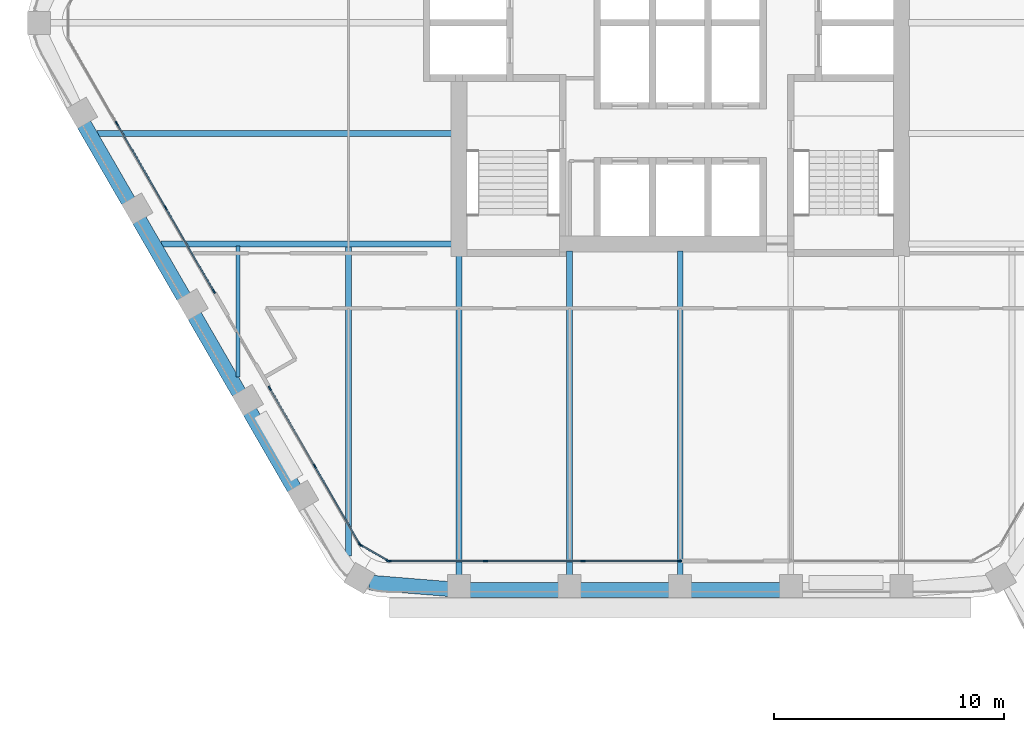
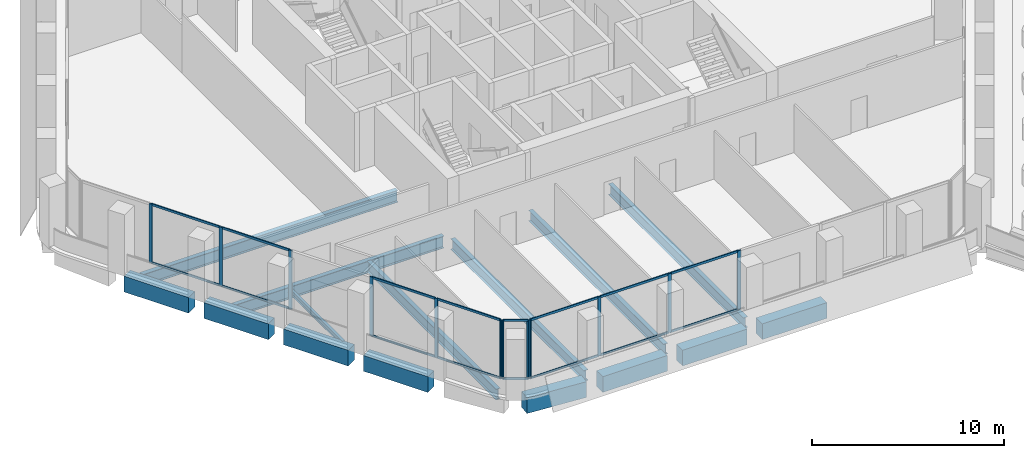
# One storey, part 2 of 17: 28 members, 15 beams, 4 elements without a shape of their own.
"""IFC4 building model written with IfcOpenShell, lengths in metres."""

from ifc_helpers import new_model, si_unit, direction, frame, origin, origin_2d, place, context, subcontext, project, spatial, rectangle, i_section, extrude, material, material_profile, profile_set, type_object, element, aggregate, save


model = new_model("IFC4")

# Units and contexts
model_context = context("Model", 3, precision=1e-05, world=origin(), true_north=direction((0.0, 1.0)))
body_context = subcontext(model_context, "Body", "Model", "MODEL_VIEW")
ifc_project = project(units=[si_unit("LENGTHUNIT", "METRE"), si_unit("AREAUNIT", "SQUARE_METRE"), si_unit("VOLUMEUNIT", "CUBIC_METRE"), si_unit("PLANEANGLEUNIT", "RADIAN"), si_unit("MASSUNIT", "GRAM", prefix="KILO")], contexts=[model_context])

# Site, building, storey
site_placement = place(None, origin())
site = spatial("IfcSite", under=ifc_project, at=site_placement, CompositionType="ELEMENT")
building_placement = place(site_placement, origin())
building = spatial("IfcBuilding", under=site, at=building_placement, Name="Kolab Exchange Tower", CompositionType="ELEMENT")
storey_placement = place(building_placement, frame((0.0, 0.0, 181.699951171875)))
storey = spatial("IfcBuildingStorey", under=building, at=storey_placement, Name="L38", CompositionType="ELEMENT", Elevation=181.699951171875)

# Beams
ifc_material_1 = material(Name="Steel S355", Category="steel")
ifc_material_profile_1 = material_profile(ifc_material_1, i_section(OverallWidth=0.1650390625, OverallDepth=0.31005859375, WebThickness=0.005859375, FlangeThickness=0.009765625, at=origin_2d()), Name="W310X39")
ifc_profile_set_1 = profile_set([ifc_material_profile_1], Name="Steel S355")
beam_type_1 = type_object("IfcBeamType", Name="FLOOR BEAM W310X39", PredefinedType="BEAM", material=ifc_profile_set_1)
beam_1_placement = place(storey_placement, frame((-19.199951171875, -15.36767578125, -0.304931640625), z_axis=(0.0, 1.0, 0.0), x_axis=(-1.0, 0.0, 0.0)))
element("IfcBeam", 1, at=beam_1_placement, inside=storey, type_object=beam_type_1, Name="beam/L38/fr/003", PredefinedType="BEAM", context=body_context, shape_type="SweptSolid", body=[
    extrude(i_section(OverallWidth=0.1650390625, OverallDepth=0.31005859375, WebThickness=0.005859375, FlangeThickness=0.009765625, at=origin_2d()), origin(), (0.0, 0.0, 1.0), 5.674072265625),
])
ifc_material_profile_2 = material_profile(ifc_material_1, i_section(OverallWidth=0.25390625, OverallDepth=0.68408203125, WebThickness=0.012451171875, FlangeThickness=0.018798828125, at=origin_2d()), Name="W690X140")
ifc_profile_set_2 = profile_set([ifc_material_profile_2], Name="Steel S355")
beam_type_2 = type_object("IfcBeamType", Name="FLOOR BEAM W690X140", PredefinedType="BEAM", material=ifc_profile_set_2)
beam_2_placement = place(storey_placement, frame((-14.39990234375, -23.15576171875, -0.491943359375), z_axis=(0.0, 1.0, 0.0), x_axis=(-1.0, 0.0, 0.0)))
element("IfcBeam", 2, at=beam_2_placement, inside=storey, type_object=beam_type_2, Name="beam/L38/fr/005", PredefinedType="BEAM", context=body_context, shape_type="SweptSolid", body=[
    extrude(i_section(OverallWidth=0.25390625, OverallDepth=0.68408203125, WebThickness=0.012451171875, FlangeThickness=0.018798828125, at=origin_2d()), origin(), (0.0, 0.0, 1.0), 13.462158203125),
])
beam_3_placement = place(storey_placement, frame((-9.60009765625, -23.9814453125, -0.491943359375), z_axis=(0.0, 1.0, 0.0), x_axis=(-1.0, 0.0, 0.0)))
element("IfcBeam", 3, at=beam_3_placement, inside=storey, type_object=beam_type_2, Name="beam/L38/fr/007", PredefinedType="BEAM", context=body_context, shape_type="SweptSolid", body=[
    extrude(i_section(OverallWidth=0.25390625, OverallDepth=0.68408203125, WebThickness=0.012451171875, FlangeThickness=0.018798828125, at=origin_2d()), origin(), (0.0, 0.0, 1.0), 13.871337890625),
])
for number, where, z_axis, x_axis, name in (
    (4, (-4.800048828125, -23.9814453125, -0.491943359375), (0.0, 1.0, 0.0), (-1.0, 0.0, 0.0), "beam/L38/fr/009"),
    (5, (0.0, -23.9814453125, -0.491943359375), (0.0, 1.0, 0.0), (-1.0, 0.0, 0.0), "beam/L38/fr/011"),
):
    element("IfcBeam", number, at=place(storey_placement, frame(where, z_axis=z_axis, x_axis=x_axis)), inside=storey, type_object=beam_type_2, Name=name, PredefinedType="BEAM", context=body_context, shape_type="SweptSolid", body=[
        extrude(i_section(OverallWidth=0.25390625, OverallDepth=0.68408203125, WebThickness=0.012451171875, FlangeThickness=0.018798828125, at=origin_2d()), origin(), (0.0, 0.0, 1.0), 14.071533203125),
    ])
ifc_material_profile_3 = material_profile(ifc_material_1, i_section(OverallWidth=0.26708984375, OverallDepth=0.761962890625, WebThickness=0.014404296875, FlangeThickness=0.021484375, at=origin_2d()), Name="W760X173")
ifc_profile_set_3 = profile_set([ifc_material_profile_3], Name="Steel S355")
beam_type_3 = type_object("IfcBeamType", Name="FLOOR BEAM W760X173", PredefinedType="BEAM", material=ifc_profile_set_3)
beam_4_placement = place(storey_placement, frame((-25.318115234375, -4.800048828125, -0.531005859375), z_axis=(1.0, 0.0, 0.0), x_axis=(0.0, 1.0, 0.0)))
element("IfcBeam", 6, at=beam_4_placement, inside=storey, type_object=beam_type_3, Name="beam/L38/fr/001", PredefinedType="BEAM", context=body_context, shape_type="SweptSolid", body=[
    extrude(i_section(OverallWidth=0.26708984375, OverallDepth=0.761962890625, WebThickness=0.014404296875, FlangeThickness=0.021484375, at=origin_2d()), origin(), (0.0, 0.0, 1.0), 15.408203125),
])
ifc_material_profile_4 = material_profile(ifc_material_1, i_section(OverallWidth=0.26708984375, OverallDepth=0.761962890625, WebThickness=0.014404296875, FlangeThickness=0.021484375, at=origin_2d()), Name="W760X173")
ifc_profile_set_4 = profile_set([ifc_material_profile_4], Name="Steel S355")
beam_type_4 = type_object("IfcBeamType", Name="FLOOR GIRDER W760X173", PredefinedType="BEAM", material=ifc_profile_set_4)
beam_5_placement = place(storey_placement, frame((-22.546875, -9.60009765625, -0.531005859375), z_axis=(1.0, 0.0, 0.0), x_axis=(0.0, 1.0, 0.0)))
element("IfcBeam", 7, at=beam_5_placement, inside=storey, type_object=beam_type_4, Name="beam/L38/gd/000", PredefinedType="BEAM", context=body_context, shape_type="SweptSolid", body=[
    extrude(i_section(OverallWidth=0.26708984375, OverallDepth=0.761962890625, WebThickness=0.014404296875, FlangeThickness=0.021484375, at=origin_2d()), origin(), (0.0, 0.0, 1.0), 12.636962890625),
])
ifc_material_2 = material(Name="Concrete C60/75", Category="concrete")
ifc_material_profile_5 = material_profile(ifc_material_2, rectangle(XDim=0.64990234375, YDim=1.0, at=origin_2d()), Name="RC650X1000")
ifc_profile_set_5 = profile_set([ifc_material_profile_5], Name="Concrete C60/75")
beam_type_5 = type_object("IfcBeamType", Name="SPANDREL BEAM 650X1000 C60/75", PredefinedType="BEAM", material=ifc_profile_set_5)
for number, where, z_axis, x_axis, name in (
    (8, (4.340087890625, -24.616455078125, -0.64990234375), (-1.0, 0.0, 0.0), (0.0, -1.0, 0.0), "beam/L38/sp/F4-03"),
    (9, (-0.4599609375, -24.616455078125, -0.64990234375), (-1.0, 0.0, 0.0), (0.0, -1.0, 0.0), "beam/L38/sp/F4-04"),
):
    element("IfcBeam", number, at=place(storey_placement, frame(where, z_axis=z_axis, x_axis=x_axis)), inside=storey, type_object=beam_type_5, Name=name, PredefinedType="BEAM", context=body_context, shape_type="SweptSolid", body=[
        extrude(rectangle(XDim=0.64990234375, YDim=1.0, at=origin_2d()), origin(), (0.0, 0.0, 1.0), 3.880126953125),
    ])
beam_6_placement = place(storey_placement, frame((-5.260009765625, -24.616455078125, -0.64990234375), z_axis=(-1.0, 0.0, 0.0), x_axis=(0.0, -1.0, 0.0)))
element("IfcBeam", 10, at=beam_6_placement, inside=storey, type_object=beam_type_5, Name="beam/L38/sp/F4-05", PredefinedType="BEAM", context=body_context, shape_type="SweptSolid", body=[
    extrude(rectangle(XDim=0.64990234375, YDim=1.0, at=origin_2d()), origin(), (0.0, 0.0, 1.0), 3.8798828125),
])
beam_7_placement = place(storey_placement, frame((-10.06005859375, -24.5791015625, -0.64990234375), z_axis=(-0.996708497182, 0.081068931445, 0.0), x_axis=(-0.081068931445, -0.996708497182, 0.0)))
element("IfcBeam", 11, at=beam_7_placement, inside=storey, type_object=beam_type_5, Name="beam/L38/sp/F4-06", PredefinedType="BEAM", context=body_context, shape_type="SweptSolid", body=[
    extrude(rectangle(XDim=0.64990234375, YDim=1.0, at=origin_2d()), origin(), (0.0, 0.0, 1.0), 3.445068359375),
])
beam_8_placement = place(storey_placement, frame((-16.74853515625, -20.2236328125, -0.64990234375), z_axis=(-0.499996613652, 0.866027358884, 0.0), x_axis=(-0.866027358884, -0.499996613652, 0.0)))
element("IfcBeam", 12, at=beam_8_placement, inside=storey, type_object=beam_type_5, Name="beam/L38/sp/F5-02", PredefinedType="BEAM", context=body_context, shape_type="SweptSolid", body=[
    extrude(rectangle(XDim=0.64990234375, YDim=1.0, at=origin_2d()), origin(), (0.0, 0.0, 1.0), 3.8798828125),
])
beam_9_placement = place(storey_placement, frame((-19.1484375, -16.06689453125, -0.64990234375), z_axis=(-0.50001655835, 0.866015843605, 0.0), x_axis=(-0.866015843605, -0.50001655835, 0.0)))
element("IfcBeam", 13, at=beam_9_placement, inside=storey, type_object=beam_type_5, Name="beam/L38/sp/F5-03", PredefinedType="BEAM", context=body_context, shape_type="SweptSolid", body=[
    extrude(rectangle(XDim=0.64990234375, YDim=1.0, at=origin_2d()), origin(), (0.0, 0.0, 1.0), 3.880126953125),
])
for number, where, z_axis, x_axis, name in (
    (14, (-21.548583984375, -11.909912109375, -0.64990234375), (-0.499996613652, 0.866027358884, 0.0), (-0.866027358884, -0.499996613652, 0.0), "beam/L38/sp/F5-04"),
    (15, (-23.948486328125, -7.7529296875, -0.64990234375), (-0.499996613652, 0.866027358884, 0.0), (-0.866027358884, -0.499996613652, 0.0), "beam/L38/sp/F5-05"),
):
    element("IfcBeam", number, at=place(storey_placement, frame(where, z_axis=z_axis, x_axis=x_axis)), inside=storey, type_object=beam_type_5, Name=name, PredefinedType="BEAM", context=body_context, shape_type="SweptSolid", body=[
        extrude(rectangle(XDim=0.64990234375, YDim=1.0, at=origin_2d()), origin(), (0.0, 0.0, 1.0), 3.8798828125),
    ])

# Curtain wall, members
ifc_material_3 = material(Name="Aluminium EN AW-6063 T6", Category="aluminium")
curtain_wall_type = type_object("IfcCurtainWallType", Name="UNITISED UPPER MID ZONE CURTAIN WALL", PredefinedType="NOTDEFINED", material=ifc_material_3)
curtain_wall_1_placement = place(storey_placement, origin())
curtain_wall_1 = element("IfcCurtainWall", 16, at=curtain_wall_1_placement, inside=storey, type_object=curtain_wall_type, Name="cw/L38/F4-2", PredefinedType="NOTDEFINED")
ifc_material_profile_6 = material_profile(ifc_material_3, rectangle(XDim=0.06005859375, YDim=0.199951171875, at=origin_2d()), Name="RECT 60X200")
ifc_profile_set_6 = profile_set([ifc_material_profile_6], Name="Aluminium EN AW-6063 T6")
member_type_1 = type_object("IfcMemberType", Name="UNITISED UPPER MID ZONE MULLION 60 X 200", PredefinedType="MULLION", material=ifc_profile_set_6)
member_1_placement = place(storey_placement, frame((-0.030029296875, -23.361572265625, 0.0), z_axis=(0.0, 0.0, 1.0), x_axis=(0.0, -1.0, 0.0)))
member_1 = element("IfcMember", 17, at=member_1_placement, type_object=member_type_1, Name="CW3 mullion 1", PredefinedType="MULLION", context=body_context, shape_type="SweptSolid", body=[
    extrude(rectangle(XDim=0.06005859375, YDim=0.199951171875, at=origin_2d()), origin(), (0.0, 0.0, 1.0), 3.75),
])
member_2_placement = place(storey_placement, frame((-4.22265625, -23.361572265625, 0.0), z_axis=(0.0, 0.0, 1.0), x_axis=(0.0, -1.0, 0.0)))
member_2 = element("IfcMember", 18, at=member_2_placement, type_object=member_type_1, Name="CW3 mullion 2", PredefinedType="MULLION", context=body_context, shape_type="SweptSolid", body=[
    extrude(rectangle(XDim=0.06005859375, YDim=0.199951171875, at=origin_2d()), origin(), (0.0, 0.0, 1.0), 3.75),
])
member_3_placement = place(storey_placement, frame((-8.4453125, -23.361572265625, 0.0), z_axis=(0.0, 0.0, 1.0), x_axis=(0.0, -1.0, 0.0)))
member_3 = element("IfcMember", 19, at=member_3_placement, type_object=member_type_1, Name="CW3 mullion 3", PredefinedType="MULLION", context=body_context, shape_type="SweptSolid", body=[
    extrude(rectangle(XDim=0.06005859375, YDim=0.199951171875, at=origin_2d()), origin(), (0.0, 0.0, 1.0), 3.75),
])
member_4_placement = place(storey_placement, frame((-12.637939453125, -23.361572265625, 0.0), z_axis=(0.0, 0.0, 1.0), x_axis=(0.0, -1.0, 0.0)))
member_4 = element("IfcMember", 20, at=member_4_placement, type_object=member_type_1, Name="CW3 mullion 4", PredefinedType="MULLION", context=body_context, shape_type="SweptSolid", body=[
    extrude(rectangle(XDim=0.06005859375, YDim=0.199951171875, at=origin_2d()), origin(), (0.0, 0.0, 1.0), 3.75),
])

curtain_wall_2_placement = place(storey_placement, origin())
curtain_wall_2 = element("IfcCurtainWall", 21, at=curtain_wall_2_placement, inside=storey, type_object=curtain_wall_type, Name="cw/L38/F5-1", PredefinedType="NOTDEFINED")
member_5_placement = place(storey_placement, frame((-13.91259765625, -22.62548828125, 0.0), z_axis=(0.0, 0.0, 1.0), x_axis=(-0.866025385493, -0.500000031681, 0.0)))
member_5 = element("IfcMember", 22, at=member_5_placement, type_object=member_type_1, Name="CW3 mullion 1", PredefinedType="MULLION", context=body_context, shape_type="SweptSolid", body=[
    extrude(rectangle(XDim=0.06005859375, YDim=0.199951171875, at=origin_2d()), origin(), (0.0, 0.0, 1.0), 3.75),
])
member_6_placement = place(storey_placement, frame((-15.86474609375, -19.24462890625, 0.0), z_axis=(0.0, 0.0, 1.0), x_axis=(-0.866025385493, -0.500000031681, 0.0)))
member_6 = element("IfcMember", 23, at=member_6_placement, type_object=member_type_1, Name="CW3 mullion 2", PredefinedType="MULLION", context=body_context, shape_type="SweptSolid", body=[
    extrude(rectangle(XDim=0.06005859375, YDim=0.199951171875, at=origin_2d()), origin(), (0.0, 0.0, 1.0), 3.75),
])
member_7_placement = place(storey_placement, frame((-17.816650390625, -15.86376953125, 0.0), z_axis=(0.0, 0.0, 1.0), x_axis=(-0.866025385493, -0.500000031681, 0.0)))
member_7 = element("IfcMember", 24, at=member_7_placement, type_object=member_type_1, Name="CW3 mullion 3", PredefinedType="MULLION", context=body_context, shape_type="SweptSolid", body=[
    extrude(rectangle(XDim=0.06005859375, YDim=0.199951171875, at=origin_2d()), origin(), (0.0, 0.0, 1.0), 3.75),
])

curtain_wall_3_placement = place(storey_placement, origin())
curtain_wall_3 = element("IfcCurtainWall", 25, at=curtain_wall_3_placement, inside=storey, type_object=curtain_wall_type, Name="cw/L38/F5-2", PredefinedType="NOTDEFINED")
member_8_placement = place(storey_placement, frame((-20.24658203125, -11.65478515625, 0.0), z_axis=(0.0, 0.0, 1.0), x_axis=(-0.866025427826, -0.499999958358, 0.0)))
member_8 = element("IfcMember", 26, at=member_8_placement, type_object=member_type_1, Name="CW3 mullion 1", PredefinedType="MULLION", context=body_context, shape_type="SweptSolid", body=[
    extrude(rectangle(XDim=0.06005859375, YDim=0.199951171875, at=origin_2d()), origin(), (0.0, 0.0, 1.0), 3.75),
])
member_9_placement = place(storey_placement, frame((-22.343017578125, -8.02392578125, 0.0), z_axis=(0.0, 0.0, 1.0), x_axis=(-0.866025427826, -0.499999958358, 0.0)))
member_9 = element("IfcMember", 27, at=member_9_placement, type_object=member_type_1, Name="CW3 mullion 2", PredefinedType="MULLION", context=body_context, shape_type="SweptSolid", body=[
    extrude(rectangle(XDim=0.06005859375, YDim=0.199951171875, at=origin_2d()), origin(), (0.0, 0.0, 1.0), 3.75),
])
member_10_placement = place(storey_placement, frame((-24.454345703125, -4.366943359375, 0.0), z_axis=(0.0, 0.0, 1.0), x_axis=(-0.866025427826, -0.499999958358, 0.0)))
member_10 = element("IfcMember", 28, at=member_10_placement, type_object=member_type_1, Name="CW3 mullion 3", PredefinedType="MULLION", context=body_context, shape_type="SweptSolid", body=[
    extrude(rectangle(XDim=0.06005859375, YDim=0.199951171875, at=origin_2d()), origin(), (0.0, 0.0, 1.0), 3.75),
])

curtain_wall_4_placement = place(storey_placement, origin())
curtain_wall_4 = element("IfcCurtainWall", 29, at=curtain_wall_4_placement, inside=storey, type_object=curtain_wall_type, Name="cw/L38/F4F5-corner", PredefinedType="NOTDEFINED")
member_11_placement = place(storey_placement, frame((-12.69384765625, -23.346435546875, 0.0), z_axis=(0.0, 0.0, 1.0), x_axis=(-0.50000002237, -0.866025390869, 0.0)))
member_11 = element("IfcMember", 30, at=member_11_placement, type_object=member_type_1, Name="CW3 mullion 1", PredefinedType="MULLION", context=body_context, shape_type="SweptSolid", body=[
    extrude(rectangle(XDim=0.06005859375, YDim=0.199951171875, at=origin_2d()), origin(), (0.0, 0.0, 1.0), 3.75),
])
member_12_placement = place(storey_placement, frame((-13.871826171875, -22.66650390625, 0.0), z_axis=(0.0, 0.0, 1.0), x_axis=(-0.50000002237, -0.866025390869, 0.0)))
member_12 = element("IfcMember", 31, at=member_12_placement, type_object=member_type_1, Name="CW3 mullion 2", PredefinedType="MULLION", context=body_context, shape_type="SweptSolid", body=[
    extrude(rectangle(XDim=0.06005859375, YDim=0.199951171875, at=origin_2d()), origin(), (0.0, 0.0, 1.0), 3.75),
])

# Member
ifc_material_profile_7 = material_profile(ifc_material_3, rectangle(XDim=0.06005859375, YDim=0.139892578125, at=origin_2d()), Name="RECT 60X140")
ifc_profile_set_7 = profile_set([ifc_material_profile_7], Name="Aluminium EN AW-6063 T6")
member_type_2 = type_object("IfcMemberType", Name="UNITISED UPPER MID ZONE TRANSOM 60 X 140", PredefinedType="USERDEFINED", material=ifc_profile_set_7)
member_13_placement = place(storey_placement, frame((-0.06005859375, -23.361572265625, 0.030029296875), z_axis=(-1.0, 0.0, 0.0), x_axis=(0.0, -1.0, 0.0)))
member_13 = element("IfcMember", 32, at=member_13_placement, type_object=member_type_2, Name="CW3 transom 1.1", ObjectType="TRANSOM", PredefinedType="USERDEFINED", context=body_context, shape_type="SweptSolid", body=[
    extrude(rectangle(XDim=0.06005859375, YDim=0.139892578125, at=origin_2d()), origin(), (0.0, 0.0, 1.0), 4.132568359375),
])

member_14_placement = place(storey_placement, frame((-0.06005859375, -23.361572265625, 3.719970703125), z_axis=(-1.0, 0.0, 0.0), x_axis=(0.0, -1.0, 0.0)))
member_14 = element("IfcMember", 33, at=member_14_placement, type_object=member_type_2, Name="CW3 transom 1.2", ObjectType="TRANSOM", PredefinedType="USERDEFINED", context=body_context, shape_type="SweptSolid", body=[
    extrude(rectangle(XDim=0.06005859375, YDim=0.139892578125, at=origin_2d()), origin(), (0.0, 0.0, 1.0), 4.132568359375),
])

member_15_placement = place(storey_placement, frame((-4.252685546875, -23.361572265625, 0.030029296875), z_axis=(-1.0, 0.0, 0.0), x_axis=(0.0, -1.0, 0.0)))
member_15 = element("IfcMember", 34, at=member_15_placement, type_object=member_type_2, Name="CW3 transom 2.1", ObjectType="TRANSOM", PredefinedType="USERDEFINED", context=body_context, shape_type="SweptSolid", body=[
    extrude(rectangle(XDim=0.06005859375, YDim=0.139892578125, at=origin_2d()), origin(), (0.0, 0.0, 1.0), 4.16259765625),
])

member_16_placement = place(storey_placement, frame((-4.252685546875, -23.361572265625, 3.719970703125), z_axis=(-1.0, 0.0, 0.0), x_axis=(0.0, -1.0, 0.0)))
member_16 = element("IfcMember", 35, at=member_16_placement, type_object=member_type_2, Name="CW3 transom 2.2", ObjectType="TRANSOM", PredefinedType="USERDEFINED", context=body_context, shape_type="SweptSolid", body=[
    extrude(rectangle(XDim=0.06005859375, YDim=0.139892578125, at=origin_2d()), origin(), (0.0, 0.0, 1.0), 4.16259765625),
])

member_17_placement = place(storey_placement, frame((-8.475341796875, -23.361572265625, 0.030029296875), z_axis=(-1.0, 0.0, 0.0), x_axis=(0.0, -1.0, 0.0)))
member_17 = element("IfcMember", 36, at=member_17_placement, type_object=member_type_2, Name="CW3 transom 3.1", ObjectType="TRANSOM", PredefinedType="USERDEFINED", context=body_context, shape_type="SweptSolid", body=[
    extrude(rectangle(XDim=0.06005859375, YDim=0.139892578125, at=origin_2d()), origin(), (0.0, 0.0, 1.0), 4.132568359375),
])

member_18_placement = place(storey_placement, frame((-8.475341796875, -23.361572265625, 3.719970703125), z_axis=(-1.0, 0.0, 0.0), x_axis=(0.0, -1.0, 0.0)))
member_18 = element("IfcMember", 37, at=member_18_placement, type_object=member_type_2, Name="CW3 transom 3.2", ObjectType="TRANSOM", PredefinedType="USERDEFINED", context=body_context, shape_type="SweptSolid", body=[
    extrude(rectangle(XDim=0.06005859375, YDim=0.139892578125, at=origin_2d()), origin(), (0.0, 0.0, 1.0), 4.132568359375),
])

aggregate(curtain_wall_1, [member_1, member_2, member_3, member_4, member_13, member_14, member_15, member_16, member_17, member_18])

member_19_placement = place(storey_placement, frame((-13.927734375, -22.599609375, 0.030029296875), z_axis=(-0.499964356602, 0.866045981532, 0.0), x_axis=(-0.866045981532, -0.499964356602, 0.0)))
member_19 = element("IfcMember", 38, at=member_19_placement, type_object=member_type_2, Name="CW3 transom 1.1", ObjectType="TRANSOM", PredefinedType="USERDEFINED", context=body_context, shape_type="SweptSolid", body=[
    extrude(rectangle(XDim=0.06005859375, YDim=0.139892578125, at=origin_2d()), origin(), (0.0, 0.0, 1.0), 3.843994140625),
])

member_20_placement = place(storey_placement, frame((-13.927734375, -22.599609375, 3.719970703125), z_axis=(-0.499964356602, 0.866045981532, 0.0), x_axis=(-0.866045981532, -0.499964356602, 0.0)))
member_20 = element("IfcMember", 39, at=member_20_placement, type_object=member_type_2, Name="CW3 transom 1.2", ObjectType="TRANSOM", PredefinedType="USERDEFINED", context=body_context, shape_type="SweptSolid", body=[
    extrude(rectangle(XDim=0.06005859375, YDim=0.139892578125, at=origin_2d()), origin(), (0.0, 0.0, 1.0), 3.843994140625),
])

member_21_placement = place(storey_placement, frame((-15.879638671875, -19.21875, 0.030029296875), z_axis=(-0.500011990396, 0.866018481016, 0.0), x_axis=(-0.866018481016, -0.500011990396, 0.0)))
member_21 = element("IfcMember", 40, at=member_21_placement, type_object=member_type_2, Name="CW3 transom 2.1", ObjectType="TRANSOM", PredefinedType="USERDEFINED", context=body_context, shape_type="SweptSolid", body=[
    extrude(rectangle(XDim=0.06005859375, YDim=0.139892578125, at=origin_2d()), origin(), (0.0, 0.0, 1.0), 3.84423828125),
])

member_22_placement = place(storey_placement, frame((-15.879638671875, -19.21875, 3.719970703125), z_axis=(-0.500011990396, 0.866018481016, 0.0), x_axis=(-0.866018481016, -0.500011990396, 0.0)))
member_22 = element("IfcMember", 41, at=member_22_placement, type_object=member_type_2, Name="CW3 transom 2.2", ObjectType="TRANSOM", PredefinedType="USERDEFINED", context=body_context, shape_type="SweptSolid", body=[
    extrude(rectangle(XDim=0.06005859375, YDim=0.139892578125, at=origin_2d()), origin(), (0.0, 0.0, 1.0), 3.84423828125),
])

aggregate(curtain_wall_2, [member_5, member_6, member_7, member_19, member_20, member_21, member_22])

member_23_placement = place(storey_placement, frame((-20.26171875, -11.62890625, 0.030029296875), z_axis=(-0.500001996123, 0.866024251319, 0.0), x_axis=(-0.866024251319, -0.500001996123, 0.0)))
member_23 = element("IfcMember", 42, at=member_23_placement, type_object=member_type_2, Name="CW3 transom 1.1", ObjectType="TRANSOM", PredefinedType="USERDEFINED", context=body_context, shape_type="SweptSolid", body=[
    extrude(rectangle(XDim=0.06005859375, YDim=0.139892578125, at=origin_2d()), origin(), (0.0, 0.0, 1.0), 4.1328125),
])

member_24_placement = place(storey_placement, frame((-20.26171875, -11.62890625, 3.719970703125), z_axis=(-0.500001996123, 0.866024251319, 0.0), x_axis=(-0.866024251319, -0.500001996123, 0.0)))
member_24 = element("IfcMember", 43, at=member_24_placement, type_object=member_type_2, Name="CW3 transom 1.2", ObjectType="TRANSOM", PredefinedType="USERDEFINED", context=body_context, shape_type="SweptSolid", body=[
    extrude(rectangle(XDim=0.06005859375, YDim=0.139892578125, at=origin_2d()), origin(), (0.0, 0.0, 1.0), 4.1328125),
])

member_25_placement = place(storey_placement, frame((-22.35791015625, -7.997802734375, 0.030029296875), z_axis=(-0.49999322259, 0.866029316688, 0.0), x_axis=(-0.866029316688, -0.49999322259, 0.0)))
member_25 = element("IfcMember", 44, at=member_25_placement, type_object=member_type_2, Name="CW3 transom 2.1", ObjectType="TRANSOM", PredefinedType="USERDEFINED", context=body_context, shape_type="SweptSolid", body=[
    extrude(rectangle(XDim=0.06005859375, YDim=0.139892578125, at=origin_2d()), origin(), (0.0, 0.0, 1.0), 4.16259765625),
])

member_26_placement = place(storey_placement, frame((-22.35791015625, -7.997802734375, 3.719970703125), z_axis=(-0.49999322259, 0.866029316688, 0.0), x_axis=(-0.866029316688, -0.49999322259, 0.0)))
member_26 = element("IfcMember", 45, at=member_26_placement, type_object=member_type_2, Name="CW3 transom 2.2", ObjectType="TRANSOM", PredefinedType="USERDEFINED", context=body_context, shape_type="SweptSolid", body=[
    extrude(rectangle(XDim=0.06005859375, YDim=0.139892578125, at=origin_2d()), origin(), (0.0, 0.0, 1.0), 4.16259765625),
])

aggregate(curtain_wall_3, [member_8, member_9, member_10, member_23, member_24, member_25, member_26])

member_27_placement = place(storey_placement, frame((-12.719970703125, -23.33154296875, 0.030029296875), z_axis=(-0.86603858612, 0.49997716683, 0.0), x_axis=(-0.49997716683, -0.86603858612, 0.0)))
member_27 = element("IfcMember", 46, at=member_27_placement, type_object=member_type_2, Name="CW3 transom 1.1", ObjectType="TRANSOM", PredefinedType="USERDEFINED", context=body_context, shape_type="SweptSolid", body=[
    extrude(rectangle(XDim=0.06005859375, YDim=0.139892578125, at=origin_2d()), origin(), (0.0, 0.0, 1.0), 1.2998046875),
])

member_28_placement = place(storey_placement, frame((-12.719970703125, -23.33154296875, 3.719970703125), z_axis=(-0.86603858612, 0.49997716683, 0.0), x_axis=(-0.49997716683, -0.86603858612, 0.0)))
member_28 = element("IfcMember", 47, at=member_28_placement, type_object=member_type_2, Name="CW3 transom 1.2", ObjectType="TRANSOM", PredefinedType="USERDEFINED", context=body_context, shape_type="SweptSolid", body=[
    extrude(rectangle(XDim=0.06005859375, YDim=0.139892578125, at=origin_2d()), origin(), (0.0, 0.0, 1.0), 1.2998046875),
])

aggregate(curtain_wall_4, [member_11, member_12, member_27, member_28])

save(model, "model.ifc")
